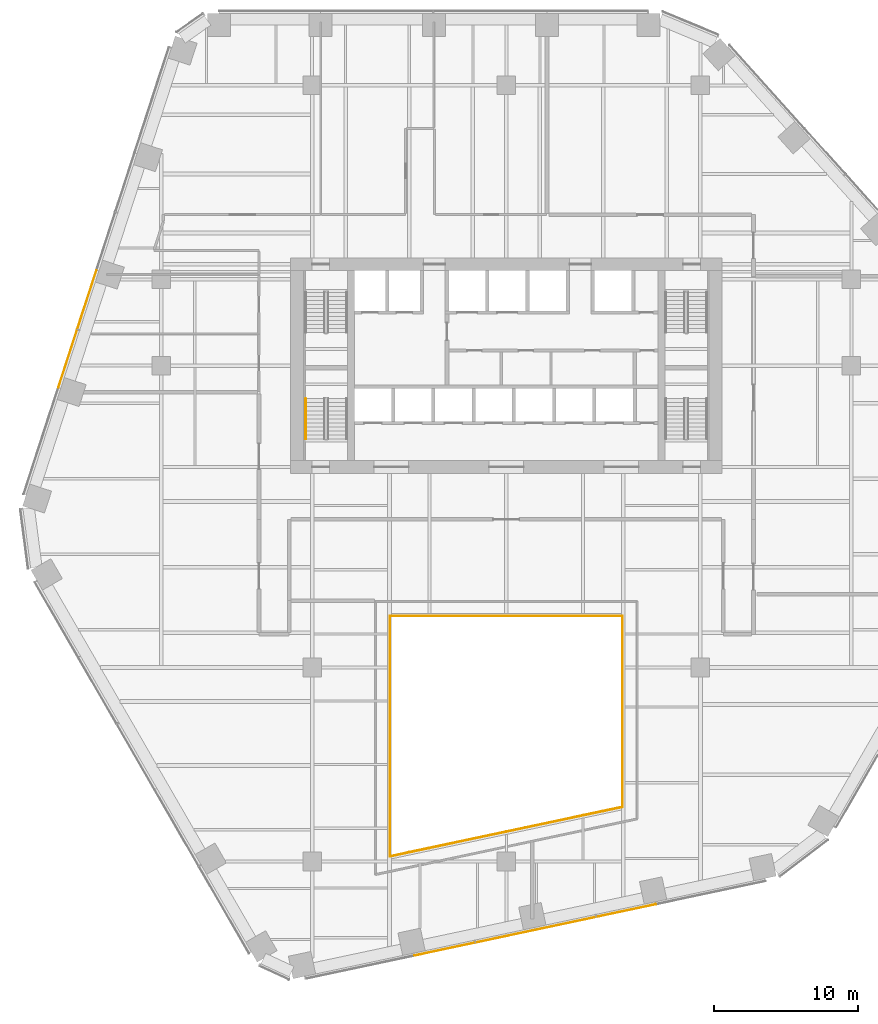
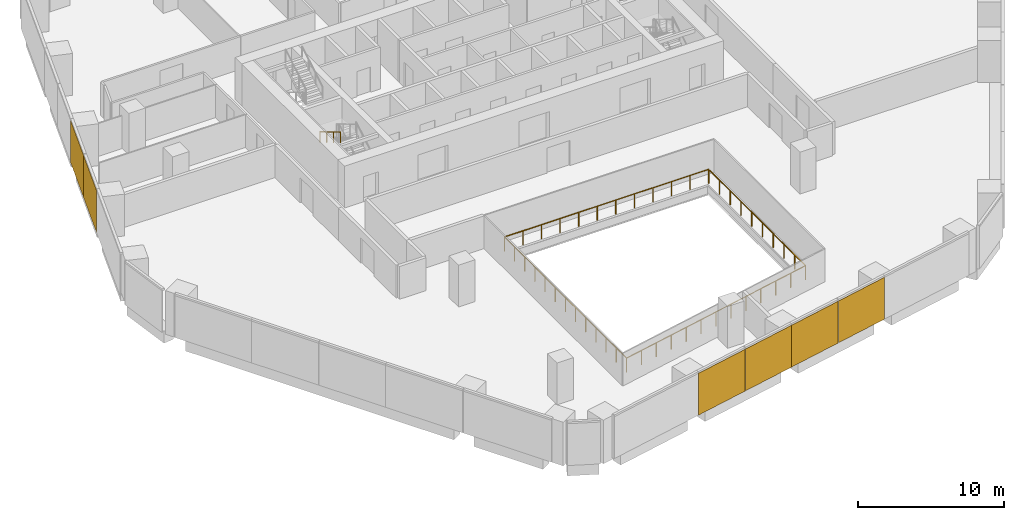
# One storey, part 17 of 19: 6 coverings, 5 railings, 2 elements without a shape of their own.
"""IFC4 building model written with IfcOpenShell, lengths in metres."""

from ifc_helpers import new_model, si_unit, direction, frame, origin, origin_2d, place, context, subcontext, project, spatial, rectangle, circle, extrude, material, layer, layer_set, type_object, element, aggregate, save


model = new_model("IFC4")

# Units and contexts
model_context = context("Model", 3, precision=1e-05, world=origin(), true_north=direction((0.0, 1.0)))
body_context = subcontext(model_context, "Body", "Model", "MODEL_VIEW")
ifc_project = project(units=[si_unit("LENGTHUNIT", "METRE"), si_unit("AREAUNIT", "SQUARE_METRE"), si_unit("VOLUMEUNIT", "CUBIC_METRE"), si_unit("PLANEANGLEUNIT", "RADIAN"), si_unit("MASSUNIT", "GRAM", prefix="KILO")], contexts=[model_context])

# Site, building, storey
site_placement = place(None, origin())
site = spatial("IfcSite", under=ifc_project, at=site_placement, CompositionType="ELEMENT")
building_placement = place(site_placement, origin())
building = spatial("IfcBuilding", under=site, at=building_placement, Name="Isthmus Gate Tower", CompositionType="ELEMENT")
storey_placement = place(building_placement, frame((0.0, 0.0, 95.25)))
storey = spatial("IfcBuildingStorey", under=building, at=storey_placement, Name="L22", CompositionType="ELEMENT", Elevation=95.25)

# Railings
ifc_material_1 = material(Name="Laminated toughened glass balustrade with steel rail", Category="steel")
railing_type_1 = type_object("IfcRailingType", Name="ATRIUM GUARD GLASS BALUSTRADE 1200", PredefinedType="GUARDRAIL", material=ifc_material_1)
railing_1_placement = place(storey_placement, frame((-8.080078125, -26.642822265625, 0.0)))
element("IfcRailing", 1, at=railing_1_placement, inside=storey, type_object=railing_type_1, Name="L22 atrium guard", PredefinedType="GUARDRAIL", context=body_context, shape_type="SweptSolid", body=[
    extrude(circle(Radius=0.02490234375, at=origin_2d()), frame((0.0, 0.0, 1.1748046875), z_axis=(0.0, 1.0, 0.0), x_axis=(-1.0, 0.0, 0.0)), (0.0, 0.0, 1.0), 16.722900390625),
    extrude(circle(Radius=0.02490234375, at=origin_2d()), origin(), (0.0, 0.0, 1.0), 1.14990234375),
    extrude(circle(Radius=0.02490234375, at=origin_2d()), frame((0.0, 1.3935546875, 0.0)), (0.0, 0.0, 1.0), 1.14990234375),
    extrude(circle(Radius=0.02490234375, at=origin_2d()), frame((0.0, 2.787109375, 0.0)), (0.0, 0.0, 1.0), 1.14990234375),
    extrude(circle(Radius=0.02490234375, at=origin_2d()), frame((0.0, 4.1806640625, 0.0)), (0.0, 0.0, 1.0), 1.14990234375),
    extrude(circle(Radius=0.02490234375, at=origin_2d()), frame((0.0, 5.57421875, 0.0)), (0.0, 0.0, 1.0), 1.14990234375),
    extrude(circle(Radius=0.02490234375, at=origin_2d()), frame((0.0, 6.9677734375, 0.0)), (0.0, 0.0, 1.0), 1.14990234375),
    extrude(circle(Radius=0.02490234375, at=origin_2d()), frame((0.0, 8.361328125, 0.0)), (0.0, 0.0, 1.0), 1.14990234375),
    extrude(circle(Radius=0.02490234375, at=origin_2d()), frame((0.0, 9.755126953125, 0.0)), (0.0, 0.0, 1.0), 1.14990234375),
    extrude(circle(Radius=0.02490234375, at=origin_2d()), frame((0.0, 11.148681640625, 0.0)), (0.0, 0.0, 1.0), 1.14990234375),
    extrude(circle(Radius=0.02490234375, at=origin_2d()), frame((0.0, 12.542236328125, 0.0)), (0.0, 0.0, 1.0), 1.14990234375),
    extrude(circle(Radius=0.02490234375, at=origin_2d()), frame((0.0, 13.935791015625, 0.0)), (0.0, 0.0, 1.0), 1.14990234375),
    extrude(circle(Radius=0.02490234375, at=origin_2d()), frame((0.0, 15.329345703125, 0.0)), (0.0, 0.0, 1.0), 1.14990234375),
    extrude(circle(Radius=0.02490234375, at=origin_2d()), frame((0.0, 16.722900390625, 0.0)), (0.0, 0.0, 1.0), 1.14990234375),
])
railing_2_placement = place(storey_placement, frame((-8.080078125, -9.919921875, 0.0)))
element("IfcRailing", 2, at=railing_2_placement, inside=storey, type_object=railing_type_1, Name="L22 atrium guard", PredefinedType="GUARDRAIL", context=body_context, shape_type="SweptSolid", body=[
    extrude(circle(Radius=0.02490234375, at=origin_2d()), frame((0.0, 0.0, 1.1748046875), z_axis=(1.0, 0.0, 0.0), x_axis=(0.0, 1.0, 0.0)), (0.0, 0.0, 1.0), 16.16015625),
    extrude(circle(Radius=0.02490234375, at=origin_2d()), origin(), (0.0, 0.0, 1.0), 1.14990234375),
    extrude(circle(Radius=0.02490234375, at=origin_2d()), frame((1.468994140625, 0.0, 0.0)), (0.0, 0.0, 1.0), 1.14990234375),
    extrude(circle(Radius=0.02490234375, at=origin_2d()), frame((2.938232421875, 0.0, 0.0)), (0.0, 0.0, 1.0), 1.14990234375),
    extrude(circle(Radius=0.02490234375, at=origin_2d()), frame((4.4072265625, 0.0, 0.0)), (0.0, 0.0, 1.0), 1.14990234375),
    extrude(circle(Radius=0.02490234375, at=origin_2d()), frame((5.87646484375, 0.0, 0.0)), (0.0, 0.0, 1.0), 1.14990234375),
    extrude(circle(Radius=0.02490234375, at=origin_2d()), frame((7.345458984375, 0.0, 0.0)), (0.0, 0.0, 1.0), 1.14990234375),
    extrude(circle(Radius=0.02490234375, at=origin_2d()), frame((8.814697265625, 0.0, 0.0)), (0.0, 0.0, 1.0), 1.14990234375),
    extrude(circle(Radius=0.02490234375, at=origin_2d()), frame((10.28369140625, 0.0, 0.0)), (0.0, 0.0, 1.0), 1.14990234375),
    extrude(circle(Radius=0.02490234375, at=origin_2d()), frame((11.7529296875, 0.0, 0.0)), (0.0, 0.0, 1.0), 1.14990234375),
    extrude(circle(Radius=0.02490234375, at=origin_2d()), frame((13.221923828125, 0.0, 0.0)), (0.0, 0.0, 1.0), 1.14990234375),
    extrude(circle(Radius=0.02490234375, at=origin_2d()), frame((14.691162109375, 0.0, 0.0)), (0.0, 0.0, 1.0), 1.14990234375),
    extrude(circle(Radius=0.02490234375, at=origin_2d()), frame((16.16015625, 0.0, 0.0)), (0.0, 0.0, 1.0), 1.14990234375),
])
railing_3_placement = place(storey_placement, frame((8.080078125, -9.919921875, 0.0)))
element("IfcRailing", 3, at=railing_3_placement, inside=storey, type_object=railing_type_1, Name="L22 atrium guard", PredefinedType="GUARDRAIL", context=body_context, shape_type="SweptSolid", body=[
    extrude(circle(Radius=0.02490234375, at=origin_2d()), frame((0.0, 0.0, 1.1748046875), z_axis=(0.0, -1.0, 0.0), x_axis=(1.0, 0.0, 0.0)), (0.0, 0.0, 1.0), 13.2880859375),
    extrude(circle(Radius=0.02490234375, at=origin_2d()), origin(), (0.0, 0.0, 1.0), 1.14990234375),
    extrude(circle(Radius=0.02490234375, at=origin_2d()), frame((0.0, -1.4765625, 0.0)), (0.0, 0.0, 1.0), 1.14990234375),
    extrude(circle(Radius=0.02490234375, at=origin_2d()), frame((0.0, -2.952880859375, 0.0)), (0.0, 0.0, 1.0), 1.14990234375),
    extrude(circle(Radius=0.02490234375, at=origin_2d()), frame((0.0, -4.429443359375, 0.0)), (0.0, 0.0, 1.0), 1.14990234375),
    extrude(circle(Radius=0.02490234375, at=origin_2d()), frame((0.0, -5.90576171875, 0.0)), (0.0, 0.0, 1.0), 1.14990234375),
    extrude(circle(Radius=0.02490234375, at=origin_2d()), frame((0.0, -7.38232421875, 0.0)), (0.0, 0.0, 1.0), 1.14990234375),
    extrude(circle(Radius=0.02490234375, at=origin_2d()), frame((0.0, -8.858642578125, 0.0)), (0.0, 0.0, 1.0), 1.14990234375),
    extrude(circle(Radius=0.02490234375, at=origin_2d()), frame((0.0, -10.335205078125, 0.0)), (0.0, 0.0, 1.0), 1.14990234375),
    extrude(circle(Radius=0.02490234375, at=origin_2d()), frame((0.0, -11.8115234375, 0.0)), (0.0, 0.0, 1.0), 1.14990234375),
    extrude(circle(Radius=0.02490234375, at=origin_2d()), frame((0.0, -13.2880859375, 0.0)), (0.0, 0.0, 1.0), 1.14990234375),
])
railing_4_placement = place(storey_placement, frame((8.080078125, -23.2080078125, 0.0)))
element("IfcRailing", 4, at=railing_4_placement, inside=storey, type_object=railing_type_1, Name="L22 atrium guard", PredefinedType="GUARDRAIL", context=body_context, shape_type="SweptSolid", body=[
    extrude(circle(Radius=0.02490234375, at=origin_2d()), frame((0.0, 0.0, 1.1748046875), z_axis=(-0.978149235358, -0.207904000366, 0.0), x_axis=(0.207904000366, -0.978149235358, 0.0)), (0.0, 0.0, 1.0), 16.521240234375),
    extrude(circle(Radius=0.02490234375, at=origin_2d()), origin(), (0.0, 0.0, 1.0), 1.14990234375),
    extrude(circle(Radius=0.02490234375, at=origin_2d()), frame((-1.3466796875, -0.2861328125, 0.0)), (0.0, 0.0, 1.0), 1.14990234375),
    extrude(circle(Radius=0.02490234375, at=origin_2d()), frame((-2.693359375, -0.572509765625, 0.0)), (0.0, 0.0, 1.0), 1.14990234375),
    extrude(circle(Radius=0.02490234375, at=origin_2d()), frame((-4.0400390625, -0.858642578125, 0.0)), (0.0, 0.0, 1.0), 1.14990234375),
    extrude(circle(Radius=0.02490234375, at=origin_2d()), frame((-5.38671875, -1.14501953125, 0.0)), (0.0, 0.0, 1.0), 1.14990234375),
    extrude(circle(Radius=0.02490234375, at=origin_2d()), frame((-6.7333984375, -1.43115234375, 0.0)), (0.0, 0.0, 1.0), 1.14990234375),
    extrude(circle(Radius=0.02490234375, at=origin_2d()), frame((-8.080078125, -1.71728515625, 0.0)), (0.0, 0.0, 1.0), 1.14990234375),
    extrude(circle(Radius=0.02490234375, at=origin_2d()), frame((-9.4267578125, -2.003662109375, 0.0)), (0.0, 0.0, 1.0), 1.14990234375),
    extrude(circle(Radius=0.02490234375, at=origin_2d()), frame((-10.7734375, -2.289794921875, 0.0)), (0.0, 0.0, 1.0), 1.14990234375),
    extrude(circle(Radius=0.02490234375, at=origin_2d()), frame((-12.1201171875, -2.576171875, 0.0)), (0.0, 0.0, 1.0), 1.14990234375),
    extrude(circle(Radius=0.02490234375, at=origin_2d()), frame((-13.466796875, -2.8623046875, 0.0)), (0.0, 0.0, 1.0), 1.14990234375),
    extrude(circle(Radius=0.02490234375, at=origin_2d()), frame((-14.8134765625, -3.148681640625, 0.0)), (0.0, 0.0, 1.0), 1.14990234375),
    extrude(circle(Radius=0.02490234375, at=origin_2d()), frame((-16.16015625, -3.434814453125, 0.0)), (0.0, 0.0, 1.0), 1.14990234375),
])

# Curtain wall, coverings
ifc_material_2 = material(Name="Aluminium, pale champagne anodised", Category="aluminium")
ifc_layer_1 = layer(ifc_material_2, 0.199951171875)
ifc_layer_set_1 = layer_set([ifc_layer_1], Name="CW-1 UNITISED CURTAIN WALL 200 DEEP")
curtain_wall_type = type_object("IfcCurtainWallType", Name="CW-1 UNITISED CURTAIN WALL 200 DEEP", PredefinedType="NOTDEFINED", material=ifc_layer_set_1)
curtain_wall_1_placement = place(storey_placement, origin())
curtain_wall_1 = element("IfcCurtainWall", 5, at=curtain_wall_1_placement, inside=storey, type_object=curtain_wall_type, Name="CW-1 NW L22", PredefinedType="NOTDEFINED")
ifc_material_3 = material(Name="Aluminium composite panel, pale champagne anodised", Category="aluminium")
ifc_layer_2 = layer(ifc_material_3, 0.0400390625)
ifc_layer_set_2 = layer_set([ifc_layer_2], Name="CW-1 PALE METAL PANEL 40")
covering_type = type_object("IfcCoveringType", Name="CW-1 PALE METAL PANEL 40", PredefinedType="CLADDING", material=ifc_layer_set_2)
covering_1_placement = place(storey_placement, frame((-29.17236328125, 12.09033203125, 0.0), z_axis=(0.0, 0.0, 1.0), x_axis=(-0.309016994375, -0.951056516295, 0.0)))
covering_1 = element("IfcCovering", 6, at=covering_1_placement, type_object=covering_type, Name="CW-1 pale metal panel", PredefinedType="CLADDING", context=body_context, shape_type="SweptSolid", body=[
    extrude(rectangle(XDim=4.294677734375, YDim=0.0400390625, at=origin_2d()), origin(), (0.0, 0.0, 1.0), 3.5),
])
covering_2_placement = place(storey_placement, frame((-30.5087890625, 7.9775390625, 0.0), z_axis=(0.0, 0.0, 1.0), x_axis=(-0.309016994375, -0.951056516295, 0.0)))
covering_2 = element("IfcCovering", 7, at=covering_2_placement, type_object=covering_type, Name="CW-1 pale metal panel", PredefinedType="CLADDING", context=body_context, shape_type="SweptSolid", body=[
    extrude(rectangle(XDim=4.234619140625, YDim=0.0400390625, at=origin_2d()), origin(), (0.0, 0.0, 1.0), 3.5),
])
aggregate(curtain_wall_1, [covering_1, covering_2])

curtain_wall_2_placement = place(storey_placement, origin())
curtain_wall_2 = element("IfcCurtainWall", 8, at=curtain_wall_2_placement, inside=storey, type_object=curtain_wall_type, Name="CW-1 S L22", PredefinedType="NOTDEFINED")
covering_3_placement = place(storey_placement, frame((-4.2861328125, -33.094970703125, 0.0), z_axis=(0.0, 0.0, 1.0), x_axis=(0.978147600734, 0.207911690818, 0.0)))
covering_3 = element("IfcCovering", 9, at=covering_3_placement, type_object=covering_type, Name="CW-1 pale metal panel", PredefinedType="CLADDING", context=body_context, shape_type="SweptSolid", body=[
    extrude(rectangle(XDim=4.294677734375, YDim=0.0400390625, at=origin_2d()), origin(), (0.0, 0.0, 1.0), 3.5),
])
covering_4_placement = place(storey_placement, frame((-0.055908203125, -32.19580078125, 0.0), z_axis=(0.0, 0.0, 1.0), x_axis=(0.978147600734, 0.207911690818, 0.0)))
covering_4 = element("IfcCovering", 10, at=covering_4_placement, type_object=covering_type, Name="CW-1 pale metal panel", PredefinedType="CLADDING", context=body_context, shape_type="SweptSolid", body=[
    extrude(rectangle(XDim=4.234619140625, YDim=0.0400390625, at=origin_2d()), origin(), (0.0, 0.0, 1.0), 3.5),
])
covering_5_placement = place(storey_placement, frame((4.115478515625, -31.309326171875, 0.0), z_axis=(0.0, 0.0, 1.0), x_axis=(0.978147600734, 0.207911690818, 0.0)))
covering_5 = element("IfcCovering", 11, at=covering_5_placement, type_object=covering_type, Name="CW-1 pale metal panel", PredefinedType="CLADDING", context=body_context, shape_type="SweptSolid", body=[
    extrude(rectangle(XDim=4.294677734375, YDim=0.0400390625, at=origin_2d()), origin(), (0.0, 0.0, 1.0), 3.5),
])
covering_6_placement = place(storey_placement, frame((8.345703125, -30.41015625, 0.0), z_axis=(0.0, 0.0, 1.0), x_axis=(0.978147600734, 0.207911690818, 0.0)))
covering_6 = element("IfcCovering", 12, at=covering_6_placement, type_object=covering_type, Name="CW-1 pale metal panel", PredefinedType="CLADDING", context=body_context, shape_type="SweptSolid", body=[
    extrude(rectangle(XDim=4.234619140625, YDim=0.0400390625, at=origin_2d()), origin(), (0.0, 0.0, 1.0), 3.5),
])
aggregate(curtain_wall_2, [covering_3, covering_4, covering_5, covering_6])

# Railing
ifc_material_4 = material(Name="Stainless steel handrail", Category="steel")
railing_type_2 = type_object("IfcRailingType", Name="STAIR HANDRAIL 900", PredefinedType="HANDRAIL", material=ifc_material_4)
railing_5_placement = place(storey_placement, frame((-13.949951171875, 5.199951171875, 1.990966796875)))
element("IfcRailing", 13, at=railing_5_placement, inside=storey, type_object=railing_type_2, Name="L22 ST7 stair handrail 2", PredefinedType="HANDRAIL", context=body_context, shape_type="SweptSolid", body=[
    extrude(circle(Radius=0.02392578125, at=origin_2d()), frame((0.0, 0.0, 0.8759765625), z_axis=(0.0, -0.860339051648, 0.50972219513), x_axis=(1.0, 0.0, 0.0)), (0.0, 0.0, 1.0), 3.254638671875),
    extrude(circle(Radius=0.02099609375, at=origin_2d()), origin(), (0.0, 0.0, 1.0), 0.851806640625),
    extrude(circle(Radius=0.02099609375, at=origin_2d()), frame((0.0, -0.933349609375, 0.552978515625)), (0.0, 0.0, 1.0), 0.851806640625),
    extrude(circle(Radius=0.02099609375, at=origin_2d()), frame((0.0, -1.86669921875, 1.10595703125)), (0.0, 0.0, 1.0), 0.851806640625),
    extrude(circle(Radius=0.02099609375, at=origin_2d()), frame((0.0, -2.800048828125, 1.658935546875)), (0.0, 0.0, 1.0), 0.851806640625),
])

save(model, "model.ifc")
